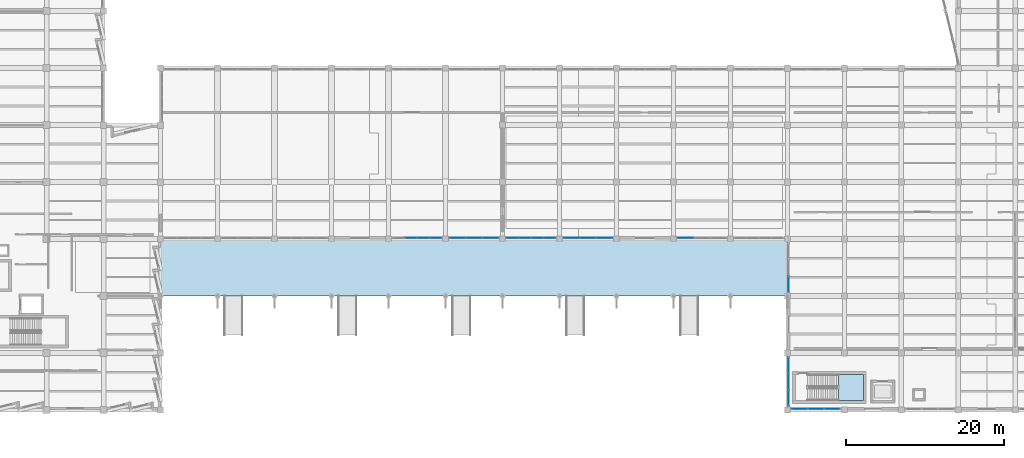
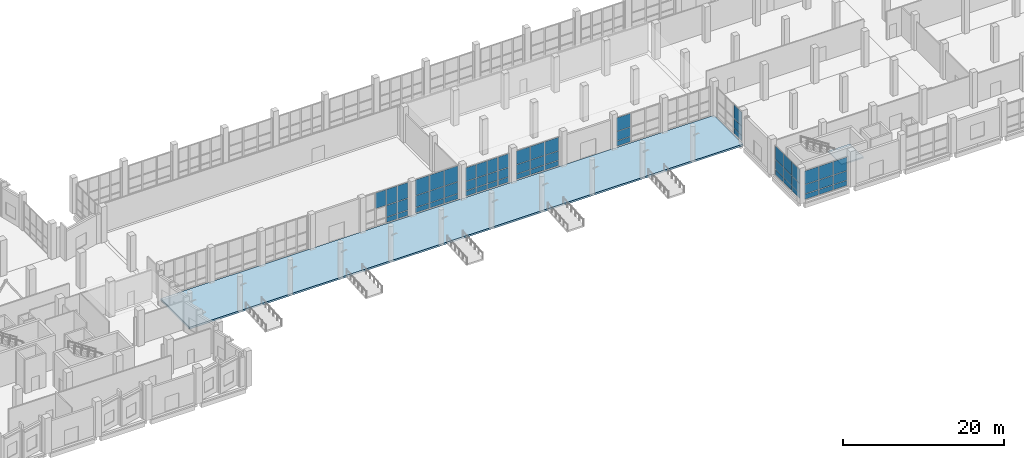
# One storey, part 87 of 137: 61 plates, 2 slabs, 9 elements without a shape of their own.
"""IFC4 building model written with IfcOpenShell, lengths in metres."""

from ifc_helpers import new_model, si_unit, direction, frame, origin, origin_2d, place, context, subcontext, project, spatial, polyline, rectangle, outline, extrude, material, layer, layer_set, type_object, element, aggregate, save


model = new_model("IFC4")

# Units and contexts
model_context = context("Model", 3, precision=1e-05, world=origin(), true_north=direction((0.0, 1.0)))
body_context = subcontext(model_context, "Body", "Model", "MODEL_VIEW")
ifc_project = project(units=[si_unit("LENGTHUNIT", "METRE"), si_unit("AREAUNIT", "SQUARE_METRE"), si_unit("VOLUMEUNIT", "CUBIC_METRE"), si_unit("PLANEANGLEUNIT", "RADIAN"), si_unit("MASSUNIT", "GRAM", prefix="KILO")], contexts=[model_context])

# Site, building, storey
site_placement = place(None, origin())
site = spatial("IfcSite", under=ifc_project, at=site_placement, CompositionType="ELEMENT")
building_placement = place(site_placement, origin())
building = spatial("IfcBuilding", under=site, at=building_placement, Name="Kalmorath City Hall", CompositionType="ELEMENT")
storey_placement = place(building_placement, origin())
storey = spatial("IfcBuildingStorey", under=building, at=storey_placement, Name="L00", CompositionType="ELEMENT", Elevation=0.0)

# Stair, slab
ifc_material_1 = material(Name="Concrete C40/50", Category="concrete")
stair_type = type_object("IfcStairType", Name="Dogleg concrete exit stair 30R x 180mm W1550", PredefinedType="HALF_TURN_STAIR", material=ifc_material_1)
stair_placement = place(storey_placement, origin())
stair = element("IfcStair", 1, at=stair_placement, inside=storey, type_object=stair_type, Name="L00 Protected exit stair ST-5", PredefinedType="HALF_TURN_STAIR")
ifc_material_2 = material(Name="Concrete C40/50", Category="concrete")
ifc_layer_1 = layer(ifc_material_2, 0.199951171875)
ifc_layer_set_1 = layer_set([ifc_layer_1], Name="Concrete C40/50")
slab_type_1 = type_object("IfcSlabType", Name="Concrete stair half-landing slab 200", PredefinedType="LANDING", material=ifc_layer_set_1)
slab_1_placement = place(storey_placement, frame((0.0, 0.0, 2.5)))
slab_1 = element("IfcSlab", 2, at=slab_1_placement, type_object=slab_type_1, Name="ST-5 landing 1", PredefinedType="LANDING", context=body_context, shape_type="SweptSolid", body=[
    extrude(outline(polyline([(121.669921875, 1.199951171875), (124.800048828125, 1.199951171875), (124.800048828125, 4.5), (121.669921875, 4.5), (121.669921875, 1.199951171875)])), origin(), (0.0, 0.0, 1.0), 0.199951171875),
])
aggregate(stair, [slab_1])

# Slab
ifc_material_3 = material(Name="Concrete C40/50", Category="concrete")
ifc_layer_2 = layer(ifc_material_3, 0.27001953125)
ifc_layer_set_2 = layer_set([ifc_layer_2], Name="Concrete C40/50")
slab_type_2 = type_object("IfcSlabType", Name="Concrete storm arcade external slab 270", PredefinedType="FLOOR", material=ifc_layer_set_2)
slab_2_placement = place(storey_placement, frame((0.0, 0.0, -0.27001953125)))
element("IfcSlab", 3, at=slab_2_placement, inside=storey, type_object=slab_type_2, Name="L00 Civic Storm Arcade slab", PredefinedType="FLOOR", context=body_context, shape_type="SweptSolid", body=[
    extrude(outline(polyline([(36.0, 14.39990234375), (115.199951171875, 14.39990234375), (115.199951171875, 21.60009765625), (36.0, 21.60009765625), (36.0, 14.39990234375)])), origin(), (0.0, 0.0, 1.0), 0.27001953125),
])

# Curtain wall, plates
ifc_material_4 = material(Name="Anodised aluminium and laminated glass", Category="aluminium")
curtain_wall_type_1 = type_object("IfcCurtainWallType", Name="Unitised hurricane curtain wall 6220x4411 M1800", PredefinedType="NOTDEFINED", material=ifc_material_4)
curtain_wall_1_placement = place(storey_placement, origin())
curtain_wall_1 = element("IfcCurtainWall", 4, at=curtain_wall_1_placement, inside=storey, type_object=curtain_wall_type_1, Name="L00 curtain wall CW-62X44M18 #15", PredefinedType="NOTDEFINED")
ifc_material_5 = material(Name="Hurricane laminated low-E glass", Category="glass")
ifc_layer_3 = layer(ifc_material_5, 0.0400390625)
ifc_layer_set_3 = layer_set([ifc_layer_3], Name="Hurricane laminated low-E glass")
plate_type = type_object("IfcPlateType", Name="Public hall laminated glass panel 40", PredefinedType="CURTAIN_PANEL", material=ifc_layer_set_3)
plate_1_placement = place(storey_placement, frame((120.8544921875, 0.159912109375, 0.06494140625), z_axis=(0.0, 0.0, 1.0), x_axis=(-1.0, 0.0, 0.0)))
plate_1 = element("IfcPlate", 5, at=plate_1_placement, type_object=plate_type, Name="CW-62X44M18 panel 1.1", PredefinedType="CURTAIN_PANEL", context=body_context, shape_type="SweptSolid", body=[
    extrude(rectangle(XDim=1.9609375, YDim=0.0400390625, at=origin_2d()), origin(), (0.0, 0.0, 1.0), 0.75244140625),
])
plate_2_placement = place(storey_placement, frame((120.8544921875, 0.159912109375, 0.882568359375), z_axis=(0.0, 0.0, 1.0), x_axis=(-1.0, 0.0, 0.0)))
plate_2 = element("IfcPlate", 6, at=plate_2_placement, type_object=plate_type, Name="CW-62X44M18 panel 1.2", PredefinedType="CURTAIN_PANEL", context=body_context, shape_type="SweptSolid", body=[
    extrude(rectangle(XDim=1.9609375, YDim=0.0400390625, at=origin_2d()), origin(), (0.0, 0.0, 1.0), 1.37890625),
])
plate_3_placement = place(storey_placement, frame((120.8544921875, 0.159912109375, 2.326416015625), z_axis=(0.0, 0.0, 1.0), x_axis=(-1.0, 0.0, 0.0)))
plate_3 = element("IfcPlate", 7, at=plate_3_placement, type_object=plate_type, Name="CW-62X44M18 panel 1.3", PredefinedType="CURTAIN_PANEL", context=body_context, shape_type="SweptSolid", body=[
    extrude(rectangle(XDim=1.9609375, YDim=0.0400390625, at=origin_2d()), origin(), (0.0, 0.0, 1.0), 2.01953125),
])
plate_4_placement = place(storey_placement, frame((118.800048828125, 0.159912109375, 0.06494140625), z_axis=(0.0, 0.0, 1.0), x_axis=(-1.0, 0.0, 0.0)))
plate_4 = element("IfcPlate", 8, at=plate_4_placement, type_object=plate_type, Name="CW-62X44M18 panel 2.1", PredefinedType="CURTAIN_PANEL", context=body_context, shape_type="SweptSolid", body=[
    extrude(rectangle(XDim=1.998291015625, YDim=0.0400390625, at=origin_2d()), origin(), (0.0, 0.0, 1.0), 0.75244140625),
])
plate_5_placement = place(storey_placement, frame((118.800048828125, 0.159912109375, 0.882568359375), z_axis=(0.0, 0.0, 1.0), x_axis=(-1.0, 0.0, 0.0)))
plate_5 = element("IfcPlate", 9, at=plate_5_placement, type_object=plate_type, Name="CW-62X44M18 panel 2.2", PredefinedType="CURTAIN_PANEL", context=body_context, shape_type="SweptSolid", body=[
    extrude(rectangle(XDim=1.998291015625, YDim=0.0400390625, at=origin_2d()), origin(), (0.0, 0.0, 1.0), 1.37890625),
])
plate_6_placement = place(storey_placement, frame((118.800048828125, 0.159912109375, 2.326416015625), z_axis=(0.0, 0.0, 1.0), x_axis=(-1.0, 0.0, 0.0)))
plate_6 = element("IfcPlate", 10, at=plate_6_placement, type_object=plate_type, Name="CW-62X44M18 panel 2.3", PredefinedType="CURTAIN_PANEL", context=body_context, shape_type="SweptSolid", body=[
    extrude(rectangle(XDim=1.998291015625, YDim=0.0400390625, at=origin_2d()), origin(), (0.0, 0.0, 1.0), 2.01953125),
])
plate_7_placement = place(storey_placement, frame((116.745361328125, 0.159912109375, 0.06494140625), z_axis=(0.0, 0.0, 1.0), x_axis=(-1.0, 0.0, 0.0)))
plate_7 = element("IfcPlate", 11, at=plate_7_placement, type_object=plate_type, Name="CW-62X44M18 panel 3.1", PredefinedType="CURTAIN_PANEL", context=body_context, shape_type="SweptSolid", body=[
    extrude(rectangle(XDim=1.9609375, YDim=0.0400390625, at=origin_2d()), origin(), (0.0, 0.0, 1.0), 0.75244140625),
])
plate_8_placement = place(storey_placement, frame((116.745361328125, 0.159912109375, 0.882568359375), z_axis=(0.0, 0.0, 1.0), x_axis=(-1.0, 0.0, 0.0)))
plate_8 = element("IfcPlate", 12, at=plate_8_placement, type_object=plate_type, Name="CW-62X44M18 panel 3.2", PredefinedType="CURTAIN_PANEL", context=body_context, shape_type="SweptSolid", body=[
    extrude(rectangle(XDim=1.9609375, YDim=0.0400390625, at=origin_2d()), origin(), (0.0, 0.0, 1.0), 1.37890625),
])
plate_9_placement = place(storey_placement, frame((116.745361328125, 0.159912109375, 2.326416015625), z_axis=(0.0, 0.0, 1.0), x_axis=(-1.0, 0.0, 0.0)))
plate_9 = element("IfcPlate", 13, at=plate_9_placement, type_object=plate_type, Name="CW-62X44M18 panel 3.3", PredefinedType="CURTAIN_PANEL", context=body_context, shape_type="SweptSolid", body=[
    extrude(rectangle(XDim=1.9609375, YDim=0.0400390625, at=origin_2d()), origin(), (0.0, 0.0, 1.0), 2.01953125),
])
aggregate(curtain_wall_1, [plate_1, plate_2, plate_3, plate_4, plate_5, plate_6, plate_7, plate_8, plate_9])

ifc_material_6 = material(Name="Anodised aluminium and laminated glass", Category="aluminium")
curtain_wall_type_2 = type_object("IfcCurtainWallType", Name="Unitised hurricane curtain wall 6220x4461 M1800", PredefinedType="NOTDEFINED", material=ifc_material_6)
curtain_wall_2_placement = place(storey_placement, origin())
curtain_wall_2 = element("IfcCurtainWall", 14, at=curtain_wall_2_placement, inside=storey, type_object=curtain_wall_type_2, Name="L00 curtain wall CW-62X45M18 #16", PredefinedType="NOTDEFINED")
plate_10_placement = place(storey_placement, frame((115.360107421875, 1.54541015625, 0.06494140625), z_axis=(0.0, 0.0, 1.0), x_axis=(0.0, 1.0, 0.0)))
plate_10 = element("IfcPlate", 15, at=plate_10_placement, type_object=plate_type, Name="CW-62X45M18 panel 1.1", PredefinedType="CURTAIN_PANEL", context=body_context, shape_type="SweptSolid", body=[
    extrude(rectangle(XDim=1.9609375, YDim=0.0400390625, at=origin_2d()), origin(), (0.0, 0.0, 1.0), 0.75244140625),
])
plate_11_placement = place(storey_placement, frame((115.360107421875, 1.54541015625, 0.88232421875), z_axis=(0.0, 0.0, 1.0), x_axis=(0.0, 1.0, 0.0)))
plate_11 = element("IfcPlate", 16, at=plate_11_placement, type_object=plate_type, Name="CW-62X45M18 panel 1.2", PredefinedType="CURTAIN_PANEL", context=body_context, shape_type="SweptSolid", body=[
    extrude(rectangle(XDim=1.9609375, YDim=0.0400390625, at=origin_2d()), origin(), (0.0, 0.0, 1.0), 1.405029296875),
])
plate_12_placement = place(storey_placement, frame((115.360107421875, 1.54541015625, 2.3525390625), z_axis=(0.0, 0.0, 1.0), x_axis=(0.0, 1.0, 0.0)))
plate_12 = element("IfcPlate", 17, at=plate_12_placement, type_object=plate_type, Name="CW-62X45M18 panel 1.3", PredefinedType="CURTAIN_PANEL", context=body_context, shape_type="SweptSolid", body=[
    extrude(rectangle(XDim=1.9609375, YDim=0.0400390625, at=origin_2d()), origin(), (0.0, 0.0, 1.0), 2.04345703125),
])
plate_13_placement = place(storey_placement, frame((115.360107421875, 3.60009765625, 0.06494140625), z_axis=(0.0, 0.0, 1.0), x_axis=(0.0, 1.0, 0.0)))
plate_13 = element("IfcPlate", 18, at=plate_13_placement, type_object=plate_type, Name="CW-62X45M18 panel 2.1", PredefinedType="CURTAIN_PANEL", context=body_context, shape_type="SweptSolid", body=[
    extrude(rectangle(XDim=1.998291015625, YDim=0.0400390625, at=origin_2d()), origin(), (0.0, 0.0, 1.0), 0.75244140625),
])
plate_14_placement = place(storey_placement, frame((115.360107421875, 3.60009765625, 0.88232421875), z_axis=(0.0, 0.0, 1.0), x_axis=(0.0, 1.0, 0.0)))
plate_14 = element("IfcPlate", 19, at=plate_14_placement, type_object=plate_type, Name="CW-62X45M18 panel 2.2", PredefinedType="CURTAIN_PANEL", context=body_context, shape_type="SweptSolid", body=[
    extrude(rectangle(XDim=1.998291015625, YDim=0.0400390625, at=origin_2d()), origin(), (0.0, 0.0, 1.0), 1.405029296875),
])
plate_15_placement = place(storey_placement, frame((115.360107421875, 3.60009765625, 2.3525390625), z_axis=(0.0, 0.0, 1.0), x_axis=(0.0, 1.0, 0.0)))
plate_15 = element("IfcPlate", 20, at=plate_15_placement, type_object=plate_type, Name="CW-62X45M18 panel 2.3", PredefinedType="CURTAIN_PANEL", context=body_context, shape_type="SweptSolid", body=[
    extrude(rectangle(XDim=1.998291015625, YDim=0.0400390625, at=origin_2d()), origin(), (0.0, 0.0, 1.0), 2.04345703125),
])
plate_16_placement = place(storey_placement, frame((115.360107421875, 5.654541015625, 0.06494140625), z_axis=(0.0, 0.0, 1.0), x_axis=(0.0, 1.0, 0.0)))
plate_16 = element("IfcPlate", 21, at=plate_16_placement, type_object=plate_type, Name="CW-62X45M18 panel 3.1", PredefinedType="CURTAIN_PANEL", context=body_context, shape_type="SweptSolid", body=[
    extrude(rectangle(XDim=1.9609375, YDim=0.0400390625, at=origin_2d()), origin(), (0.0, 0.0, 1.0), 0.75244140625),
])
plate_17_placement = place(storey_placement, frame((115.360107421875, 5.654541015625, 0.88232421875), z_axis=(0.0, 0.0, 1.0), x_axis=(0.0, 1.0, 0.0)))
plate_17 = element("IfcPlate", 22, at=plate_17_placement, type_object=plate_type, Name="CW-62X45M18 panel 3.2", PredefinedType="CURTAIN_PANEL", context=body_context, shape_type="SweptSolid", body=[
    extrude(rectangle(XDim=1.9609375, YDim=0.0400390625, at=origin_2d()), origin(), (0.0, 0.0, 1.0), 1.405029296875),
])
plate_18_placement = place(storey_placement, frame((115.360107421875, 5.654541015625, 2.3525390625), z_axis=(0.0, 0.0, 1.0), x_axis=(0.0, 1.0, 0.0)))
plate_18 = element("IfcPlate", 23, at=plate_18_placement, type_object=plate_type, Name="CW-62X45M18 panel 3.3", PredefinedType="CURTAIN_PANEL", context=body_context, shape_type="SweptSolid", body=[
    extrude(rectangle(XDim=1.9609375, YDim=0.0400390625, at=origin_2d()), origin(), (0.0, 0.0, 1.0), 2.04345703125),
])
aggregate(curtain_wall_2, [plate_10, plate_11, plate_12, plate_13, plate_14, plate_15, plate_16, plate_17, plate_18])

curtain_wall_3_placement = place(storey_placement, origin())
curtain_wall_3 = element("IfcCurtainWall", 24, at=curtain_wall_3_placement, inside=storey, type_object=curtain_wall_type_2, Name="L00 curtain wall CW-62X45M18 #17", PredefinedType="NOTDEFINED")
plate_19_placement = place(storey_placement, frame((115.360107421875, 15.9453125, 0.06494140625), z_axis=(0.0, 0.0, 1.0), x_axis=(0.0, 1.0, 0.0)))
plate_19 = element("IfcPlate", 25, at=plate_19_placement, type_object=plate_type, Name="CW-62X45M18 panel 1.1", PredefinedType="CURTAIN_PANEL", context=body_context, shape_type="SweptSolid", body=[
    extrude(rectangle(XDim=1.9609375, YDim=0.0400390625, at=origin_2d()), origin(), (0.0, 0.0, 1.0), 0.75244140625),
])
plate_20_placement = place(storey_placement, frame((115.360107421875, 15.9453125, 0.88232421875), z_axis=(0.0, 0.0, 1.0), x_axis=(0.0, 1.0, 0.0)))
plate_20 = element("IfcPlate", 26, at=plate_20_placement, type_object=plate_type, Name="CW-62X45M18 panel 1.2", PredefinedType="CURTAIN_PANEL", context=body_context, shape_type="SweptSolid", body=[
    extrude(rectangle(XDim=1.9609375, YDim=0.0400390625, at=origin_2d()), origin(), (0.0, 0.0, 1.0), 1.405029296875),
])
plate_21_placement = place(storey_placement, frame((115.360107421875, 15.9453125, 2.3525390625), z_axis=(0.0, 0.0, 1.0), x_axis=(0.0, 1.0, 0.0)))
plate_21 = element("IfcPlate", 27, at=plate_21_placement, type_object=plate_type, Name="CW-62X45M18 panel 1.3", PredefinedType="CURTAIN_PANEL", context=body_context, shape_type="SweptSolid", body=[
    extrude(rectangle(XDim=1.9609375, YDim=0.0400390625, at=origin_2d()), origin(), (0.0, 0.0, 1.0), 2.04345703125),
])
aggregate(curtain_wall_3, [plate_19, plate_20, plate_21])

ifc_material_7 = material(Name="Anodised aluminium and laminated glass", Category="aluminium")
curtain_wall_type_3 = type_object("IfcCurtainWallType", Name="Unitised hurricane curtain wall 6270x4411 M2100", PredefinedType="NOTDEFINED", material=ifc_material_7)
curtain_wall_4_placement = place(storey_placement, origin())
curtain_wall_4 = element("IfcCurtainWall", 28, at=curtain_wall_4_placement, inside=storey, type_object=curtain_wall_type_3, Name="L00 curtain wall CW-63X44M21 #19", PredefinedType="NOTDEFINED")
plate_22_placement = place(storey_placement, frame((102.328857421875, 21.760009765625, 0.06494140625), z_axis=(0.0, 0.0, 1.0), x_axis=(-1.0, 0.0, 0.0)))
plate_22 = element("IfcPlate", 29, at=plate_22_placement, type_object=plate_type, Name="CW-63X44M21 panel 3.1", PredefinedType="CURTAIN_PANEL", context=body_context, shape_type="SweptSolid", body=[
    extrude(rectangle(XDim=1.9775390625, YDim=0.0400390625, at=origin_2d()), origin(), (0.0, 0.0, 1.0), 0.75244140625),
])
plate_23_placement = place(storey_placement, frame((102.328857421875, 21.760009765625, 0.882568359375), z_axis=(0.0, 0.0, 1.0), x_axis=(-1.0, 0.0, 0.0)))
plate_23 = element("IfcPlate", 30, at=plate_23_placement, type_object=plate_type, Name="CW-63X44M21 panel 3.2", PredefinedType="CURTAIN_PANEL", context=body_context, shape_type="SweptSolid", body=[
    extrude(rectangle(XDim=1.9775390625, YDim=0.0400390625, at=origin_2d()), origin(), (0.0, 0.0, 1.0), 1.37890625),
])
plate_24_placement = place(storey_placement, frame((102.328857421875, 21.760009765625, 2.326416015625), z_axis=(0.0, 0.0, 1.0), x_axis=(-1.0, 0.0, 0.0)))
plate_24 = element("IfcPlate", 31, at=plate_24_placement, type_object=plate_type, Name="CW-63X44M21 panel 3.3", PredefinedType="CURTAIN_PANEL", context=body_context, shape_type="SweptSolid", body=[
    extrude(rectangle(XDim=1.9775390625, YDim=0.0400390625, at=origin_2d()), origin(), (0.0, 0.0, 1.0), 2.01953125),
])
aggregate(curtain_wall_4, [plate_22, plate_23, plate_24])

ifc_material_8 = material(Name="Anodised aluminium and laminated glass", Category="aluminium")
curtain_wall_type_4 = type_object("IfcCurtainWallType", Name="Unitised hurricane curtain wall 6270x4411 M1800", PredefinedType="NOTDEFINED", material=ifc_material_8)
curtain_wall_5_placement = place(storey_placement, origin())
curtain_wall_5 = element("IfcCurtainWall", 32, at=curtain_wall_5_placement, inside=storey, type_object=curtain_wall_type_4, Name="L00 curtain wall CW-63X44M18 #20", PredefinedType="NOTDEFINED")
plate_25_placement = place(storey_placement, frame((92.0712890625, 21.760009765625, 0.06494140625), z_axis=(0.0, 0.0, 1.0), x_axis=(-1.0, 0.0, 0.0)))
plate_25 = element("IfcPlate", 33, at=plate_25_placement, type_object=plate_type, Name="CW-63X44M18 panel 1.1", PredefinedType="CURTAIN_PANEL", context=body_context, shape_type="SweptSolid", body=[
    extrude(rectangle(XDim=1.9775390625, YDim=0.0400390625, at=origin_2d()), origin(), (0.0, 0.0, 1.0), 0.75244140625),
])
plate_26_placement = place(storey_placement, frame((92.0712890625, 21.760009765625, 0.882568359375), z_axis=(0.0, 0.0, 1.0), x_axis=(-1.0, 0.0, 0.0)))
plate_26 = element("IfcPlate", 34, at=plate_26_placement, type_object=plate_type, Name="CW-63X44M18 panel 1.2", PredefinedType="CURTAIN_PANEL", context=body_context, shape_type="SweptSolid", body=[
    extrude(rectangle(XDim=1.9775390625, YDim=0.0400390625, at=origin_2d()), origin(), (0.0, 0.0, 1.0), 1.37890625),
])
plate_27_placement = place(storey_placement, frame((92.0712890625, 21.760009765625, 2.326416015625), z_axis=(0.0, 0.0, 1.0), x_axis=(-1.0, 0.0, 0.0)))
plate_27 = element("IfcPlate", 35, at=plate_27_placement, type_object=plate_type, Name="CW-63X44M18 panel 1.3", PredefinedType="CURTAIN_PANEL", context=body_context, shape_type="SweptSolid", body=[
    extrude(rectangle(XDim=1.9775390625, YDim=0.0400390625, at=origin_2d()), origin(), (0.0, 0.0, 1.0), 2.01953125),
])
plate_28_placement = place(storey_placement, frame((90.0, 21.760009765625, 0.06494140625), z_axis=(0.0, 0.0, 1.0), x_axis=(-1.0, 0.0, 0.0)))
plate_28 = element("IfcPlate", 36, at=plate_28_placement, type_object=plate_type, Name="CW-63X44M18 panel 2.1", PredefinedType="CURTAIN_PANEL", context=body_context, shape_type="SweptSolid", body=[
    extrude(rectangle(XDim=2.014892578125, YDim=0.0400390625, at=origin_2d()), origin(), (0.0, 0.0, 1.0), 0.75244140625),
])
plate_29_placement = place(storey_placement, frame((90.0, 21.760009765625, 0.882568359375), z_axis=(0.0, 0.0, 1.0), x_axis=(-1.0, 0.0, 0.0)))
plate_29 = element("IfcPlate", 37, at=plate_29_placement, type_object=plate_type, Name="CW-63X44M18 panel 2.2", PredefinedType="CURTAIN_PANEL", context=body_context, shape_type="SweptSolid", body=[
    extrude(rectangle(XDim=2.014892578125, YDim=0.0400390625, at=origin_2d()), origin(), (0.0, 0.0, 1.0), 1.37890625),
])
plate_30_placement = place(storey_placement, frame((90.0, 21.760009765625, 2.326416015625), z_axis=(0.0, 0.0, 1.0), x_axis=(-1.0, 0.0, 0.0)))
plate_30 = element("IfcPlate", 38, at=plate_30_placement, type_object=plate_type, Name="CW-63X44M18 panel 2.3", PredefinedType="CURTAIN_PANEL", context=body_context, shape_type="SweptSolid", body=[
    extrude(rectangle(XDim=2.014892578125, YDim=0.0400390625, at=origin_2d()), origin(), (0.0, 0.0, 1.0), 2.01953125),
])
plate_31_placement = place(storey_placement, frame((87.9287109375, 21.760009765625, 0.06494140625), z_axis=(0.0, 0.0, 1.0), x_axis=(-1.0, 0.0, 0.0)))
plate_31 = element("IfcPlate", 39, at=plate_31_placement, type_object=plate_type, Name="CW-63X44M18 panel 3.1", PredefinedType="CURTAIN_PANEL", context=body_context, shape_type="SweptSolid", body=[
    extrude(rectangle(XDim=1.9775390625, YDim=0.0400390625, at=origin_2d()), origin(), (0.0, 0.0, 1.0), 0.75244140625),
])
plate_32_placement = place(storey_placement, frame((87.9287109375, 21.760009765625, 0.882568359375), z_axis=(0.0, 0.0, 1.0), x_axis=(-1.0, 0.0, 0.0)))
plate_32 = element("IfcPlate", 40, at=plate_32_placement, type_object=plate_type, Name="CW-63X44M18 panel 3.2", PredefinedType="CURTAIN_PANEL", context=body_context, shape_type="SweptSolid", body=[
    extrude(rectangle(XDim=1.9775390625, YDim=0.0400390625, at=origin_2d()), origin(), (0.0, 0.0, 1.0), 1.37890625),
])
plate_33_placement = place(storey_placement, frame((87.9287109375, 21.760009765625, 2.326416015625), z_axis=(0.0, 0.0, 1.0), x_axis=(-1.0, 0.0, 0.0)))
plate_33 = element("IfcPlate", 41, at=plate_33_placement, type_object=plate_type, Name="CW-63X44M18 panel 3.3", PredefinedType="CURTAIN_PANEL", context=body_context, shape_type="SweptSolid", body=[
    extrude(rectangle(XDim=1.9775390625, YDim=0.0400390625, at=origin_2d()), origin(), (0.0, 0.0, 1.0), 2.01953125),
])
aggregate(curtain_wall_5, [plate_25, plate_26, plate_27, plate_28, plate_29, plate_30, plate_31, plate_32, plate_33])

ifc_material_9 = material(Name="Anodised aluminium and laminated glass", Category="aluminium")
curtain_wall_type_5 = type_object("IfcCurtainWallType", Name="Unitised hurricane curtain wall 6270x4411 M1500", PredefinedType="NOTDEFINED", material=ifc_material_9)
curtain_wall_6_placement = place(storey_placement, origin())
curtain_wall_6 = element("IfcCurtainWall", 42, at=curtain_wall_6_placement, inside=storey, type_object=curtain_wall_type_5, Name="L00 curtain wall CW-63X44M15 #21", PredefinedType="NOTDEFINED")
plate_34_placement = place(storey_placement, frame((85.132568359375, 21.760009765625, 0.06494140625), z_axis=(0.0, 0.0, 1.0), x_axis=(-1.0, 0.0, 0.0)))
plate_34 = element("IfcPlate", 43, at=plate_34_placement, type_object=plate_type, Name="CW-63X44M15 panel 1.1", PredefinedType="CURTAIN_PANEL", context=body_context, shape_type="SweptSolid", body=[
    extrude(rectangle(XDim=1.455078125, YDim=0.0400390625, at=origin_2d()), origin(), (0.0, 0.0, 1.0), 0.75244140625),
])
plate_35_placement = place(storey_placement, frame((85.132568359375, 21.760009765625, 0.882568359375), z_axis=(0.0, 0.0, 1.0), x_axis=(-1.0, 0.0, 0.0)))
plate_35 = element("IfcPlate", 44, at=plate_35_placement, type_object=plate_type, Name="CW-63X44M15 panel 1.2", PredefinedType="CURTAIN_PANEL", context=body_context, shape_type="SweptSolid", body=[
    extrude(rectangle(XDim=1.455078125, YDim=0.0400390625, at=origin_2d()), origin(), (0.0, 0.0, 1.0), 1.37890625),
])
plate_36_placement = place(storey_placement, frame((85.132568359375, 21.760009765625, 2.326416015625), z_axis=(0.0, 0.0, 1.0), x_axis=(-1.0, 0.0, 0.0)))
plate_36 = element("IfcPlate", 45, at=plate_36_placement, type_object=plate_type, Name="CW-63X44M15 panel 1.3", PredefinedType="CURTAIN_PANEL", context=body_context, shape_type="SweptSolid", body=[
    extrude(rectangle(XDim=1.455078125, YDim=0.0400390625, at=origin_2d()), origin(), (0.0, 0.0, 1.0), 2.01953125),
])
plate_37_placement = place(storey_placement, frame((83.583740234375, 21.760009765625, 0.06494140625), z_axis=(0.0, 0.0, 1.0), x_axis=(-1.0, 0.0, 0.0)))
plate_37 = element("IfcPlate", 46, at=plate_37_placement, type_object=plate_type, Name="CW-63X44M15 panel 2.1", PredefinedType="CURTAIN_PANEL", context=body_context, shape_type="SweptSolid", body=[
    extrude(rectangle(XDim=1.492431640625, YDim=0.0400390625, at=origin_2d()), origin(), (0.0, 0.0, 1.0), 0.75244140625),
])
plate_38_placement = place(storey_placement, frame((83.583740234375, 21.760009765625, 0.882568359375), z_axis=(0.0, 0.0, 1.0), x_axis=(-1.0, 0.0, 0.0)))
plate_38 = element("IfcPlate", 47, at=plate_38_placement, type_object=plate_type, Name="CW-63X44M15 panel 2.2", PredefinedType="CURTAIN_PANEL", context=body_context, shape_type="SweptSolid", body=[
    extrude(rectangle(XDim=1.492431640625, YDim=0.0400390625, at=origin_2d()), origin(), (0.0, 0.0, 1.0), 1.37890625),
])
plate_39_placement = place(storey_placement, frame((83.583740234375, 21.760009765625, 2.326416015625), z_axis=(0.0, 0.0, 1.0), x_axis=(-1.0, 0.0, 0.0)))
plate_39 = element("IfcPlate", 48, at=plate_39_placement, type_object=plate_type, Name="CW-63X44M15 panel 2.3", PredefinedType="CURTAIN_PANEL", context=body_context, shape_type="SweptSolid", body=[
    extrude(rectangle(XDim=1.492431640625, YDim=0.0400390625, at=origin_2d()), origin(), (0.0, 0.0, 1.0), 2.01953125),
])
plate_40_placement = place(storey_placement, frame((82.016357421875, 21.760009765625, 0.06494140625), z_axis=(0.0, 0.0, 1.0), x_axis=(-1.0, 0.0, 0.0)))
plate_40 = element("IfcPlate", 49, at=plate_40_placement, type_object=plate_type, Name="CW-63X44M15 panel 3.1", PredefinedType="CURTAIN_PANEL", context=body_context, shape_type="SweptSolid", body=[
    extrude(rectangle(XDim=1.492431640625, YDim=0.0400390625, at=origin_2d()), origin(), (0.0, 0.0, 1.0), 0.75244140625),
])
plate_41_placement = place(storey_placement, frame((82.016357421875, 21.760009765625, 0.882568359375), z_axis=(0.0, 0.0, 1.0), x_axis=(-1.0, 0.0, 0.0)))
plate_41 = element("IfcPlate", 50, at=plate_41_placement, type_object=plate_type, Name="CW-63X44M15 panel 3.2", PredefinedType="CURTAIN_PANEL", context=body_context, shape_type="SweptSolid", body=[
    extrude(rectangle(XDim=1.492431640625, YDim=0.0400390625, at=origin_2d()), origin(), (0.0, 0.0, 1.0), 1.37890625),
])
plate_42_placement = place(storey_placement, frame((82.016357421875, 21.760009765625, 2.326416015625), z_axis=(0.0, 0.0, 1.0), x_axis=(-1.0, 0.0, 0.0)))
plate_42 = element("IfcPlate", 51, at=plate_42_placement, type_object=plate_type, Name="CW-63X44M15 panel 3.3", PredefinedType="CURTAIN_PANEL", context=body_context, shape_type="SweptSolid", body=[
    extrude(rectangle(XDim=1.492431640625, YDim=0.0400390625, at=origin_2d()), origin(), (0.0, 0.0, 1.0), 2.01953125),
])
plate_43_placement = place(storey_placement, frame((80.467529296875, 21.760009765625, 0.06494140625), z_axis=(0.0, 0.0, 1.0), x_axis=(-1.0, 0.0, 0.0)))
plate_43 = element("IfcPlate", 52, at=plate_43_placement, type_object=plate_type, Name="CW-63X44M15 panel 4.1", PredefinedType="CURTAIN_PANEL", context=body_context, shape_type="SweptSolid", body=[
    extrude(rectangle(XDim=1.455078125, YDim=0.0400390625, at=origin_2d()), origin(), (0.0, 0.0, 1.0), 0.75244140625),
])
plate_44_placement = place(storey_placement, frame((80.467529296875, 21.760009765625, 0.882568359375), z_axis=(0.0, 0.0, 1.0), x_axis=(-1.0, 0.0, 0.0)))
plate_44 = element("IfcPlate", 53, at=plate_44_placement, type_object=plate_type, Name="CW-63X44M15 panel 4.2", PredefinedType="CURTAIN_PANEL", context=body_context, shape_type="SweptSolid", body=[
    extrude(rectangle(XDim=1.455078125, YDim=0.0400390625, at=origin_2d()), origin(), (0.0, 0.0, 1.0), 1.37890625),
])
plate_45_placement = place(storey_placement, frame((80.467529296875, 21.760009765625, 2.326416015625), z_axis=(0.0, 0.0, 1.0), x_axis=(-1.0, 0.0, 0.0)))
plate_45 = element("IfcPlate", 54, at=plate_45_placement, type_object=plate_type, Name="CW-63X44M15 panel 4.3", PredefinedType="CURTAIN_PANEL", context=body_context, shape_type="SweptSolid", body=[
    extrude(rectangle(XDim=1.455078125, YDim=0.0400390625, at=origin_2d()), origin(), (0.0, 0.0, 1.0), 2.01953125),
])
aggregate(curtain_wall_6, [plate_34, plate_35, plate_36, plate_37, plate_38, plate_39, plate_40, plate_41, plate_42, plate_43, plate_44, plate_45])

ifc_material_10 = material(Name="Anodised aluminium and laminated glass", Category="aluminium")
curtain_wall_type_6 = type_object("IfcCurtainWallType", Name="Unitised hurricane curtain wall 6270x5120 M2100", PredefinedType="NOTDEFINED", material=ifc_material_10)
curtain_wall_7_placement = place(storey_placement, origin())
curtain_wall_7 = element("IfcCurtainWall", 55, at=curtain_wall_7_placement, inside=storey, type_object=curtain_wall_type_6, Name="L00 curtain wall CW-63X51M21 #22", PredefinedType="NOTDEFINED")
plate_46_placement = place(storey_placement, frame((77.671142578125, 21.760009765625, 0.06494140625), z_axis=(0.0, 0.0, 1.0), x_axis=(-1.0, 0.0, 0.0)))
plate_46 = element("IfcPlate", 56, at=plate_46_placement, type_object=plate_type, Name="CW-63X51M21 panel 1.1", PredefinedType="CURTAIN_PANEL", context=body_context, shape_type="SweptSolid", body=[
    extrude(rectangle(XDim=1.9775390625, YDim=0.0400390625, at=origin_2d()), origin(), (0.0, 0.0, 1.0), 0.75244140625),
])
plate_47_placement = place(storey_placement, frame((77.671142578125, 21.760009765625, 0.882568359375), z_axis=(0.0, 0.0, 1.0), x_axis=(-1.0, 0.0, 0.0)))
plate_47 = element("IfcPlate", 57, at=plate_47_placement, type_object=plate_type, Name="CW-63X51M21 panel 1.2", PredefinedType="CURTAIN_PANEL", context=body_context, shape_type="SweptSolid", body=[
    extrude(rectangle(XDim=1.9775390625, YDim=0.0400390625, at=origin_2d()), origin(), (0.0, 0.0, 1.0), 1.7470703125),
])
plate_48_placement = place(storey_placement, frame((77.671142578125, 21.760009765625, 2.6943359375), z_axis=(0.0, 0.0, 1.0), x_axis=(-1.0, 0.0, 0.0)))
plate_48 = element("IfcPlate", 58, at=plate_48_placement, type_object=plate_type, Name="CW-63X51M21 panel 1.3", PredefinedType="CURTAIN_PANEL", context=body_context, shape_type="SweptSolid", body=[
    extrude(rectangle(XDim=1.9775390625, YDim=0.0400390625, at=origin_2d()), origin(), (0.0, 0.0, 1.0), 2.360595703125),
])
plate_49_placement = place(storey_placement, frame((75.60009765625, 21.760009765625, 0.06494140625), z_axis=(0.0, 0.0, 1.0), x_axis=(-1.0, 0.0, 0.0)))
plate_49 = element("IfcPlate", 59, at=plate_49_placement, type_object=plate_type, Name="CW-63X51M21 panel 2.1", PredefinedType="CURTAIN_PANEL", context=body_context, shape_type="SweptSolid", body=[
    extrude(rectangle(XDim=2.014892578125, YDim=0.0400390625, at=origin_2d()), origin(), (0.0, 0.0, 1.0), 0.75244140625),
])
plate_50_placement = place(storey_placement, frame((75.60009765625, 21.760009765625, 0.882568359375), z_axis=(0.0, 0.0, 1.0), x_axis=(-1.0, 0.0, 0.0)))
plate_50 = element("IfcPlate", 60, at=plate_50_placement, type_object=plate_type, Name="CW-63X51M21 panel 2.2", PredefinedType="CURTAIN_PANEL", context=body_context, shape_type="SweptSolid", body=[
    extrude(rectangle(XDim=2.014892578125, YDim=0.0400390625, at=origin_2d()), origin(), (0.0, 0.0, 1.0), 1.7470703125),
])
plate_51_placement = place(storey_placement, frame((75.60009765625, 21.760009765625, 2.6943359375), z_axis=(0.0, 0.0, 1.0), x_axis=(-1.0, 0.0, 0.0)))
plate_51 = element("IfcPlate", 61, at=plate_51_placement, type_object=plate_type, Name="CW-63X51M21 panel 2.3", PredefinedType="CURTAIN_PANEL", context=body_context, shape_type="SweptSolid", body=[
    extrude(rectangle(XDim=2.014892578125, YDim=0.0400390625, at=origin_2d()), origin(), (0.0, 0.0, 1.0), 2.360595703125),
])
plate_52_placement = place(storey_placement, frame((73.52880859375, 21.760009765625, 0.06494140625), z_axis=(0.0, 0.0, 1.0), x_axis=(-1.0, 0.0, 0.0)))
plate_52 = element("IfcPlate", 62, at=plate_52_placement, type_object=plate_type, Name="CW-63X51M21 panel 3.1", PredefinedType="CURTAIN_PANEL", context=body_context, shape_type="SweptSolid", body=[
    extrude(rectangle(XDim=1.9775390625, YDim=0.0400390625, at=origin_2d()), origin(), (0.0, 0.0, 1.0), 0.75244140625),
])
plate_53_placement = place(storey_placement, frame((73.52880859375, 21.760009765625, 0.882568359375), z_axis=(0.0, 0.0, 1.0), x_axis=(-1.0, 0.0, 0.0)))
plate_53 = element("IfcPlate", 63, at=plate_53_placement, type_object=plate_type, Name="CW-63X51M21 panel 3.2", PredefinedType="CURTAIN_PANEL", context=body_context, shape_type="SweptSolid", body=[
    extrude(rectangle(XDim=1.9775390625, YDim=0.0400390625, at=origin_2d()), origin(), (0.0, 0.0, 1.0), 1.7470703125),
])
plate_54_placement = place(storey_placement, frame((73.52880859375, 21.760009765625, 2.6943359375), z_axis=(0.0, 0.0, 1.0), x_axis=(-1.0, 0.0, 0.0)))
plate_54 = element("IfcPlate", 64, at=plate_54_placement, type_object=plate_type, Name="CW-63X51M21 panel 3.3", PredefinedType="CURTAIN_PANEL", context=body_context, shape_type="SweptSolid", body=[
    extrude(rectangle(XDim=1.9775390625, YDim=0.0400390625, at=origin_2d()), origin(), (0.0, 0.0, 1.0), 2.360595703125),
])
aggregate(curtain_wall_7, [plate_46, plate_47, plate_48, plate_49, plate_50, plate_51, plate_52, plate_53, plate_54])

ifc_material_11 = material(Name="Anodised aluminium and laminated glass", Category="aluminium")
curtain_wall_type_7 = type_object("IfcCurtainWallType", Name="Unitised hurricane curtain wall 6270x5120 M1500", PredefinedType="NOTDEFINED", material=ifc_material_11)
curtain_wall_8_placement = place(storey_placement, origin())
curtain_wall_8 = element("IfcCurtainWall", 65, at=curtain_wall_8_placement, inside=storey, type_object=curtain_wall_type_7, Name="L00 curtain wall CW-63X51M15 #23", PredefinedType="NOTDEFINED")
plate_55_placement = place(storey_placement, frame((70.732421875, 21.760009765625, 0.06494140625), z_axis=(0.0, 0.0, 1.0), x_axis=(-1.0, 0.0, 0.0)))
plate_55 = element("IfcPlate", 66, at=plate_55_placement, type_object=plate_type, Name="CW-63X51M15 panel 1.1", PredefinedType="CURTAIN_PANEL", context=body_context, shape_type="SweptSolid", body=[
    extrude(rectangle(XDim=1.455078125, YDim=0.0400390625, at=origin_2d()), origin(), (0.0, 0.0, 1.0), 0.75244140625),
])
plate_56_placement = place(storey_placement, frame((70.732421875, 21.760009765625, 0.882568359375), z_axis=(0.0, 0.0, 1.0), x_axis=(-1.0, 0.0, 0.0)))
plate_56 = element("IfcPlate", 67, at=plate_56_placement, type_object=plate_type, Name="CW-63X51M15 panel 1.2", PredefinedType="CURTAIN_PANEL", context=body_context, shape_type="SweptSolid", body=[
    extrude(rectangle(XDim=1.455078125, YDim=0.0400390625, at=origin_2d()), origin(), (0.0, 0.0, 1.0), 1.7470703125),
])
plate_57_placement = place(storey_placement, frame((70.732421875, 21.760009765625, 2.6943359375), z_axis=(0.0, 0.0, 1.0), x_axis=(-1.0, 0.0, 0.0)))
plate_57 = element("IfcPlate", 68, at=plate_57_placement, type_object=plate_type, Name="CW-63X51M15 panel 1.3", PredefinedType="CURTAIN_PANEL", context=body_context, shape_type="SweptSolid", body=[
    extrude(rectangle(XDim=1.455078125, YDim=0.0400390625, at=origin_2d()), origin(), (0.0, 0.0, 1.0), 2.360595703125),
])
plate_58_placement = place(storey_placement, frame((69.183837890625, 21.760009765625, 0.06494140625), z_axis=(0.0, 0.0, 1.0), x_axis=(-1.0, 0.0, 0.0)))
plate_58 = element("IfcPlate", 69, at=plate_58_placement, type_object=plate_type, Name="CW-63X51M15 panel 2.1", PredefinedType="CURTAIN_PANEL", context=body_context, shape_type="SweptSolid", body=[
    extrude(rectangle(XDim=1.492431640625, YDim=0.0400390625, at=origin_2d()), origin(), (0.0, 0.0, 1.0), 0.75244140625),
])
plate_59_placement = place(storey_placement, frame((69.183837890625, 21.760009765625, 0.882568359375), z_axis=(0.0, 0.0, 1.0), x_axis=(-1.0, 0.0, 0.0)))
plate_59 = element("IfcPlate", 70, at=plate_59_placement, type_object=plate_type, Name="CW-63X51M15 panel 2.2", PredefinedType="CURTAIN_PANEL", context=body_context, shape_type="SweptSolid", body=[
    extrude(rectangle(XDim=1.492431640625, YDim=0.0400390625, at=origin_2d()), origin(), (0.0, 0.0, 1.0), 1.7470703125),
])
plate_60_placement = place(storey_placement, frame((69.183837890625, 21.760009765625, 2.6943359375), z_axis=(0.0, 0.0, 1.0), x_axis=(-1.0, 0.0, 0.0)))
plate_60 = element("IfcPlate", 71, at=plate_60_placement, type_object=plate_type, Name="CW-63X51M15 panel 2.3", PredefinedType="CURTAIN_PANEL", context=body_context, shape_type="SweptSolid", body=[
    extrude(rectangle(XDim=1.492431640625, YDim=0.0400390625, at=origin_2d()), origin(), (0.0, 0.0, 1.0), 2.360595703125),
])
plate_61_placement = place(storey_placement, frame((67.6162109375, 21.760009765625, 2.6943359375), z_axis=(0.0, 0.0, 1.0), x_axis=(-1.0, 0.0, 0.0)))
plate_61 = element("IfcPlate", 72, at=plate_61_placement, type_object=plate_type, Name="CW-63X51M15 panel 3.3", PredefinedType="CURTAIN_PANEL", context=body_context, shape_type="SweptSolid", body=[
    extrude(rectangle(XDim=1.492431640625, YDim=0.0400390625, at=origin_2d()), origin(), (0.0, 0.0, 1.0), 2.360595703125),
])
aggregate(curtain_wall_8, [plate_55, plate_56, plate_57, plate_58, plate_59, plate_60, plate_61])

save(model, "model.ifc")
